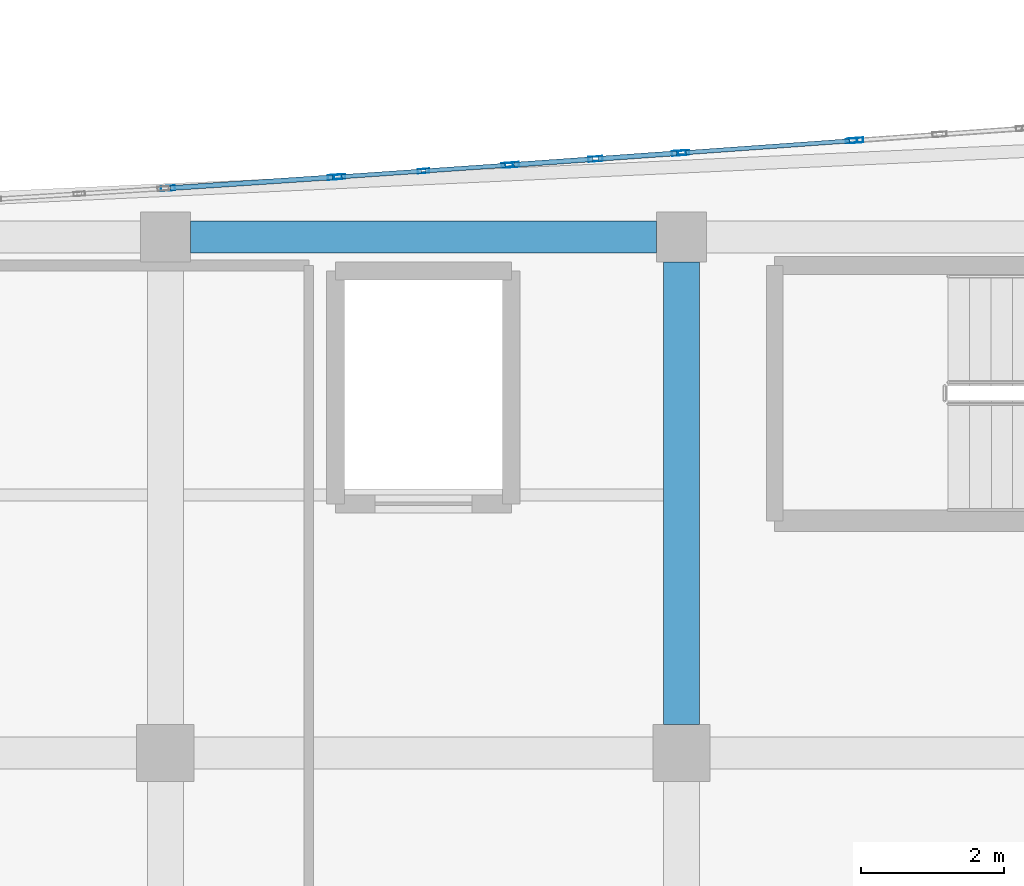
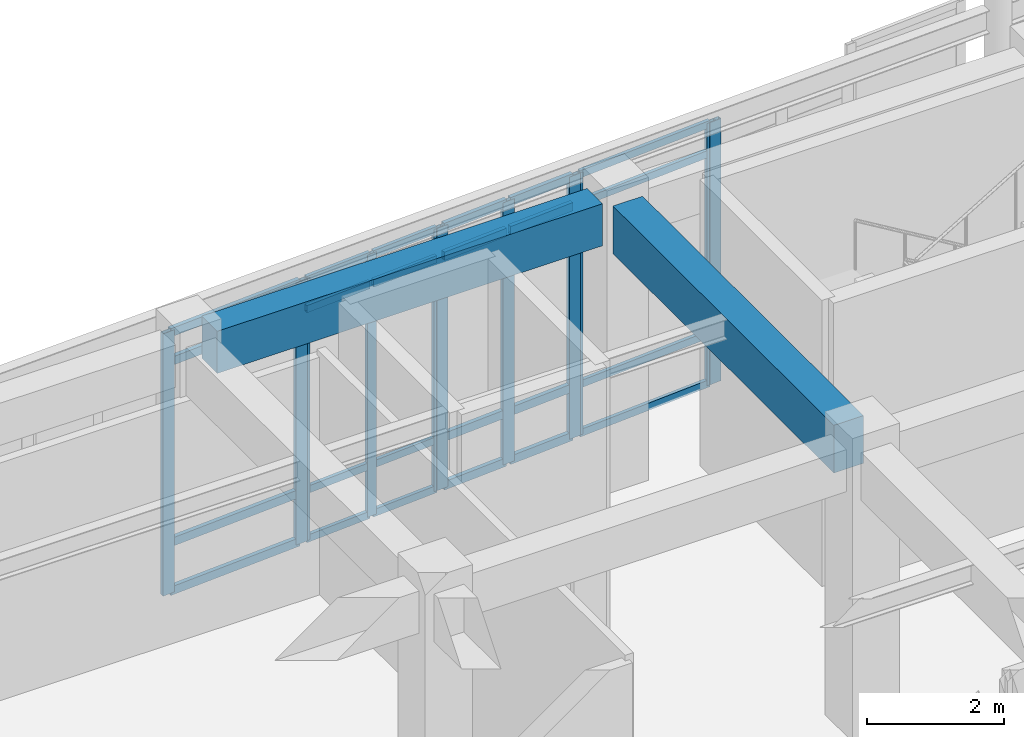
# One storey, part 28 of 102: 35 members, 2 beams, 5 elements without a shape of their own.
"""IFC4 building model written with IfcOpenShell, lengths in metres."""

from ifc_helpers import new_model, si_unit, direction, frame, origin, origin_2d, place, context, subcontext, project, spatial, rectangle, hollow_rectangle, extrude, material, layer, layer_set, material_profile, profile_set, type_object, element, aggregate, save


model = new_model("IFC4")

# Units and contexts
model_context = context("Model", 3, precision=1e-05, world=origin(), true_north=direction((0.0, 1.0)))
body_context = subcontext(model_context, "Body", "Model", "MODEL_VIEW")
ifc_project = project(units=[si_unit("LENGTHUNIT", "METRE"), si_unit("AREAUNIT", "SQUARE_METRE"), si_unit("VOLUMEUNIT", "CUBIC_METRE"), si_unit("PLANEANGLEUNIT", "RADIAN"), si_unit("MASSUNIT", "GRAM", prefix="KILO")], contexts=[model_context])

# Site, building, storey
site_placement = place(None, origin())
site = spatial("IfcSite", under=ifc_project, at=site_placement, CompositionType="ELEMENT")
building_placement = place(site_placement, origin())
building = spatial("IfcBuilding", under=site, at=building_placement, Name="Carrowvane Square Congress Hotel", CompositionType="ELEMENT")
storey_placement = place(building_placement, origin())
storey = spatial("IfcBuildingStorey", under=building, at=storey_placement, Name="L00", CompositionType="ELEMENT", Elevation=0.0)

# Beams
ifc_material_1 = material(Name="Concrete C35/45", Category="concrete")
ifc_material_profile_1 = material_profile(ifc_material_1, rectangle(XDim=0.449951171875, YDim=0.75, at=origin_2d()), Name="RC 450x750")
ifc_profile_set_1 = profile_set([ifc_material_profile_1], Name="Concrete C35/45")
beam_type_1 = type_object("IfcBeamType", Name="BM-RC-450x750", PredefinedType="USERDEFINED", material=ifc_profile_set_1)
beam_1_placement = place(storey_placement, frame((47.949951171875, 113.39990234375, 4.72509765625), z_axis=(1.0, 0.0, 0.0), x_axis=(0.0, 1.0, 0.0)))
element("IfcBeam", 1, at=beam_1_placement, inside=storey, type_object=beam_type_1, Name="L01 girder R/6-7", ObjectType="GIRDER", PredefinedType="USERDEFINED", context=body_context, shape_type="SweptSolid", body=[
    extrude(rectangle(XDim=0.449951171875, YDim=0.75, at=origin_2d()), origin(), (0.0, 0.0, 1.0), 6.5),
])
ifc_material_2 = material(Name="Concrete C35/45", Category="concrete")
ifc_material_profile_2 = material_profile(ifc_material_2, rectangle(XDim=0.5, YDim=0.85009765625, at=origin_2d()), Name="RC 500x850")
ifc_profile_set_2 = profile_set([ifc_material_profile_2], Name="Concrete C35/45")
beam_type_2 = type_object("IfcBeamType", Name="BM-RC-500x850", PredefinedType="USERDEFINED", material=ifc_profile_set_2)
beam_2_placement = place(storey_placement, frame((54.800048828125, 106.60009765625, 4.675048828125), z_axis=(0.0, 1.0, 0.0), x_axis=(-1.0, 0.0, 0.0)))
element("IfcBeam", 2, at=beam_2_placement, inside=storey, type_object=beam_type_2, Name="L01 girder 7/Q-R", ObjectType="GIRDER", PredefinedType="USERDEFINED", context=body_context, shape_type="SweptSolid", body=[
    extrude(rectangle(XDim=0.5, YDim=0.85009765625, at=origin_2d()), origin(), (0.0, 0.0, 1.0), 6.449951171875),
])

# Curtain wall, members
ifc_material_3 = material(Name="Anodised aluminium", Category="aluminium")
ifc_layer_1 = layer(ifc_material_3, 0.23388671875)
ifc_layer_set_1 = layer_set([ifc_layer_1], Name="Anodised aluminium")
curtain_wall_type_1 = type_object("IfcCurtainWallType", Name="CW-SYS-7", PredefinedType="NOTDEFINED", material=ifc_layer_set_1)
curtain_wall_1_placement = place(storey_placement, origin())
curtain_wall_1 = element("IfcCurtainWall", 3, at=curtain_wall_1_placement, inside=storey, type_object=curtain_wall_type_1, Name="L00 unitised curtain wall 6", PredefinedType="NOTDEFINED")
ifc_material_4 = material(Name="Anodised aluminium", Category="aluminium")
ifc_material_profile_3 = material_profile(ifc_material_4, hollow_rectangle(XDim=0.06005859375, YDim=0.159912109375, WallThickness=0.00390625, at=origin_2d()), Name="CW-ML 60x160x4")
ifc_profile_set_3 = profile_set([ifc_material_profile_3], Name="Anodised aluminium")
member_type_1 = type_object("IfcMemberType", Name="CW-MUL-1", PredefinedType="MULLION", material=ifc_profile_set_3)
member_1_placement = place(storey_placement, frame((50.030029296875, 114.237548828125, 0.0), z_axis=(0.0, 0.0, 1.0), x_axis=(-0.068986120725, 0.997617619706, 0.0)))
member_1 = element("IfcMember", 4, at=member_1_placement, type_object=member_type_1, Name="CW-7 mullion 1", PredefinedType="MULLION", context=body_context, shape_type="SweptSolid", body=[
    extrude(hollow_rectangle(XDim=0.06005859375, YDim=0.159912109375, WallThickness=0.00390625, at=origin_2d()), origin(), (0.0, 0.0, 1.0), 4.675537109375),
])
member_2_placement = place(storey_placement, frame((51.199951171875, 114.318359375, 0.0), z_axis=(0.0, 0.0, 1.0), x_axis=(-0.068986120725, 0.997617619706, 0.0)))
member_2 = element("IfcMember", 5, at=member_2_placement, type_object=member_type_1, Name="CW-7 mullion 2", PredefinedType="MULLION", context=body_context, shape_type="SweptSolid", body=[
    extrude(hollow_rectangle(XDim=0.06005859375, YDim=0.159912109375, WallThickness=0.00390625, at=origin_2d()), origin(), (0.0, 0.0, 1.0), 4.675537109375),
])
member_3_placement = place(storey_placement, frame((52.3701171875, 114.3994140625, 0.0), z_axis=(0.0, 0.0, 1.0), x_axis=(-0.068986120725, 0.997617619706, 0.0)))
member_3 = element("IfcMember", 6, at=member_3_placement, type_object=member_type_1, Name="CW-7 mullion 3", PredefinedType="MULLION", context=body_context, shape_type="SweptSolid", body=[
    extrude(hollow_rectangle(XDim=0.06005859375, YDim=0.159912109375, WallThickness=0.00390625, at=origin_2d()), origin(), (0.0, 0.0, 1.0), 4.675537109375),
])

ifc_material_5 = material(Name="Anodised aluminium", Category="aluminium")
ifc_layer_2 = layer(ifc_material_5, 0.162109375)
ifc_layer_set_2 = layer_set([ifc_layer_2], Name="Anodised aluminium")
curtain_wall_type_2 = type_object("IfcCurtainWallType", Name="CW-SYS-1", PredefinedType="NOTDEFINED", material=ifc_layer_set_2)
curtain_wall_2_placement = place(storey_placement, origin())
curtain_wall_2 = element("IfcCurtainWall", 7, at=curtain_wall_2_placement, inside=storey, type_object=curtain_wall_type_2, Name="L00 unitised curtain wall 8", PredefinedType="NOTDEFINED")
member_4_placement = place(storey_placement, frame((54.829833984375, 114.573486328125, 0.0), z_axis=(0.0, 0.0, 1.0), x_axis=(-0.071418356042, 0.997446448898, 0.0)))
member_4 = element("IfcMember", 8, at=member_4_placement, type_object=member_type_1, Name="CW-1 mullion 1", PredefinedType="MULLION", context=body_context, shape_type="SweptSolid", body=[
    extrude(hollow_rectangle(XDim=0.06005859375, YDim=0.159912109375, WallThickness=0.00390625, at=origin_2d()), origin(), (0.0, 0.0, 1.0), 4.675537109375),
])
member_5_placement = place(storey_placement, frame((57.169921875, 114.740966796875, 0.0), z_axis=(0.0, 0.0, 1.0), x_axis=(-0.071418356042, 0.997446448898, 0.0)))
member_5 = element("IfcMember", 9, at=member_5_placement, type_object=member_type_1, Name="CW-1 mullion 2", PredefinedType="MULLION", context=body_context, shape_type="SweptSolid", body=[
    extrude(hollow_rectangle(XDim=0.06005859375, YDim=0.159912109375, WallThickness=0.00390625, at=origin_2d()), origin(), (0.0, 0.0, 1.0), 4.675537109375),
])

ifc_material_6 = material(Name="Anodised aluminium", Category="aluminium")
ifc_layer_3 = layer(ifc_material_6, 0.221923828125)
ifc_layer_set_3 = layer_set([ifc_layer_3], Name="Anodised aluminium")
curtain_wall_type_3 = type_object("IfcCurtainWallType", Name="CW-SYS-6", PredefinedType="NOTDEFINED", material=ifc_layer_set_3)
curtain_wall_3_placement = place(storey_placement, origin())
curtain_wall_3 = element("IfcCurtainWall", 10, at=curtain_wall_3_placement, inside=storey, type_object=curtain_wall_type_3, Name="L00 unitised curtain wall 5", PredefinedType="NOTDEFINED")
ifc_material_7 = material(Name="Anodised aluminium", Category="aluminium")
ifc_material_profile_4 = material_profile(ifc_material_7, hollow_rectangle(XDim=0.070068359375, YDim=0.199951171875, WallThickness=0.0048828125, at=origin_2d()), Name="CW-ML 70x200x5")
ifc_profile_set_4 = profile_set([ifc_material_profile_4], Name="Anodised aluminium")
member_type_2 = type_object("IfcMemberType", Name="CW-MUL-2", PredefinedType="MULLION", material=ifc_profile_set_4)
member_6_placement = place(storey_placement, frame((47.635009765625, 114.07763671875, 0.0), z_axis=(0.0, 0.0, 1.0), x_axis=(-0.066578061501, 0.99778121937, 0.0)))
member_6 = element("IfcMember", 11, at=member_6_placement, type_object=member_type_2, Name="CW-6 mullion 1", PredefinedType="MULLION", context=body_context, shape_type="SweptSolid", body=[
    extrude(hollow_rectangle(XDim=0.070068359375, YDim=0.199951171875, WallThickness=0.0048828125, at=origin_2d()), origin(), (0.0, 0.0, 1.0), 4.675537109375),
])
member_7_placement = place(storey_placement, frame((49.965087890625, 114.233154296875, 0.0), z_axis=(0.0, 0.0, 1.0), x_axis=(-0.066578061501, 0.99778121937, 0.0)))
member_7 = element("IfcMember", 12, at=member_7_placement, type_object=member_type_2, Name="CW-6 mullion 2", PredefinedType="MULLION", context=body_context, shape_type="SweptSolid", body=[
    extrude(hollow_rectangle(XDim=0.070068359375, YDim=0.199951171875, WallThickness=0.0048828125, at=origin_2d()), origin(), (0.0, 0.0, 1.0), 4.675537109375),
])

ifc_material_8 = material(Name="Anodised aluminium", Category="aluminium")
ifc_layer_4 = layer(ifc_material_8, 0.24609375)
ifc_layer_set_4 = layer_set([ifc_layer_4], Name="Anodised aluminium")
curtain_wall_type_4 = type_object("IfcCurtainWallType", Name="CW-SYS-8", PredefinedType="NOTDEFINED", material=ifc_layer_set_4)
curtain_wall_4_placement = place(storey_placement, origin())
curtain_wall_4 = element("IfcCurtainWall", 13, at=curtain_wall_4_placement, inside=storey, type_object=curtain_wall_type_4, Name="L00 unitised curtain wall 7", PredefinedType="NOTDEFINED")
member_8_placement = place(storey_placement, frame((52.434814453125, 114.40380859375, 0.0), z_axis=(0.0, 0.0, 1.0), x_axis=(-0.070585996942, 0.997505697746, 0.0)))
member_8 = element("IfcMember", 14, at=member_8_placement, type_object=member_type_2, Name="CW-8 mullion 1", PredefinedType="MULLION", context=body_context, shape_type="SweptSolid", body=[
    extrude(hollow_rectangle(XDim=0.070068359375, YDim=0.199951171875, WallThickness=0.0048828125, at=origin_2d()), origin(), (0.0, 0.0, 1.0), 4.675537109375),
])
member_9_placement = place(storey_placement, frame((53.60009765625, 114.486328125, 0.0), z_axis=(0.0, 0.0, 1.0), x_axis=(-0.070585996942, 0.997505697746, 0.0)))
member_9 = element("IfcMember", 15, at=member_9_placement, type_object=member_type_2, Name="CW-8 mullion 2", PredefinedType="MULLION", context=body_context, shape_type="SweptSolid", body=[
    extrude(hollow_rectangle(XDim=0.070068359375, YDim=0.199951171875, WallThickness=0.0048828125, at=origin_2d()), origin(), (0.0, 0.0, 1.0), 4.675537109375),
])
member_10_placement = place(storey_placement, frame((54.76513671875, 114.56884765625, 0.0), z_axis=(0.0, 0.0, 1.0), x_axis=(-0.070585996942, 0.997505697746, 0.0)))
member_10 = element("IfcMember", 16, at=member_10_placement, type_object=member_type_2, Name="CW-8 mullion 3", PredefinedType="MULLION", context=body_context, shape_type="SweptSolid", body=[
    extrude(hollow_rectangle(XDim=0.070068359375, YDim=0.199951171875, WallThickness=0.0048828125, at=origin_2d()), origin(), (0.0, 0.0, 1.0), 4.675537109375),
])

# Curtain wall, member
ifc_material_9 = material(Name="Anodised aluminium", Category="aluminium")
ifc_layer_5 = layer(ifc_material_9, 0.174072265625)
ifc_layer_set_5 = layer_set([ifc_layer_5], Name="Anodised aluminium")
curtain_wall_type_5 = type_object("IfcCurtainWallType", Name="CW-SYS-2", PredefinedType="NOTDEFINED", material=ifc_layer_set_5)
curtain_wall_5_placement = place(storey_placement, origin())
curtain_wall_5 = element("IfcCurtainWall", 17, at=curtain_wall_5_placement, inside=storey, type_object=curtain_wall_type_5, Name="L00 unitised curtain wall 9", PredefinedType="NOTDEFINED")
member_11_placement = place(storey_placement, frame((57.23486328125, 114.74560546875, 0.0), z_axis=(0.0, 0.0, 1.0), x_axis=(-0.071531759512, 0.997438322595, 0.0)))
member_11 = element("IfcMember", 18, at=member_11_placement, type_object=member_type_2, Name="CW-2 mullion 1", PredefinedType="MULLION", context=body_context, shape_type="SweptSolid", body=[
    extrude(hollow_rectangle(XDim=0.070068359375, YDim=0.199951171875, WallThickness=0.0048828125, at=origin_2d()), origin(), (0.0, 0.0, 1.0), 4.675537109375),
])
aggregate(curtain_wall_5, [member_11])

# Member
ifc_material_10 = material(Name="Anodised aluminium", Category="aluminium")
ifc_material_profile_5 = material_profile(ifc_material_10, hollow_rectangle(XDim=0.06005859375, YDim=0.1298828125, WallThickness=0.00390625, at=origin_2d()), Name="CW-TR 60x130x4")
ifc_profile_set_5 = profile_set([ifc_material_profile_5], Name="Anodised aluminium")
member_type_3 = type_object("IfcMemberType", Name="CW-TRN-1", PredefinedType="USERDEFINED", material=ifc_profile_set_5)
member_12_placement = place(storey_placement, frame((50.059814453125, 114.239501953125, 0.030029296875), z_axis=(0.997610037403, 0.06909568201, 0.0), x_axis=(-0.06909568201, 0.997610037403, 0.0)))
member_12 = element("IfcMember", 19, at=member_12_placement, type_object=member_type_3, Name="CW-7 transom 1.1", ObjectType="TRANSOM", PredefinedType="USERDEFINED", context=body_context, shape_type="SweptSolid", body=[
    extrude(hollow_rectangle(XDim=0.06005859375, YDim=0.1298828125, WallThickness=0.00390625, at=origin_2d()), origin(), (0.0, 0.0, 1.0), 1.113037109375),
])

member_13_placement = place(storey_placement, frame((50.059814453125, 114.239501953125, 0.89990234375), z_axis=(0.997610037403, 0.06909568201, 0.0), x_axis=(-0.06909568201, 0.997610037403, 0.0)))
member_13 = element("IfcMember", 20, at=member_13_placement, type_object=member_type_3, Name="CW-7 transom 1.2", ObjectType="TRANSOM", PredefinedType="USERDEFINED", context=body_context, shape_type="SweptSolid", body=[
    extrude(hollow_rectangle(XDim=0.06005859375, YDim=0.1298828125, WallThickness=0.00390625, at=origin_2d()), origin(), (0.0, 0.0, 1.0), 1.113037109375),
])

member_14_placement = place(storey_placement, frame((50.059814453125, 114.239501953125, 4.12548828125), z_axis=(0.997610037403, 0.06909568201, 0.0), x_axis=(-0.06909568201, 0.997610037403, 0.0)))
member_14 = element("IfcMember", 21, at=member_14_placement, type_object=member_type_3, Name="CW-7 transom 1.3", ObjectType="TRANSOM", PredefinedType="USERDEFINED", context=body_context, shape_type="SweptSolid", body=[
    extrude(hollow_rectangle(XDim=0.06005859375, YDim=0.1298828125, WallThickness=0.00390625, at=origin_2d()), origin(), (0.0, 0.0, 1.0), 1.113037109375),
])

member_15_placement = place(storey_placement, frame((50.059814453125, 114.239501953125, 4.6455078125), z_axis=(0.997610037403, 0.06909568201, 0.0), x_axis=(-0.06909568201, 0.997610037403, 0.0)))
member_15 = element("IfcMember", 22, at=member_15_placement, type_object=member_type_3, Name="CW-7 transom 1.4", ObjectType="TRANSOM", PredefinedType="USERDEFINED", context=body_context, shape_type="SweptSolid", body=[
    extrude(hollow_rectangle(XDim=0.06005859375, YDim=0.1298828125, WallThickness=0.00390625, at=origin_2d()), origin(), (0.0, 0.0, 1.0), 1.113037109375),
])

member_16_placement = place(storey_placement, frame((51.22998046875, 114.320556640625, 0.030029296875), z_axis=(0.997624092775, 0.068892448896, 0.0), x_axis=(-0.068892448896, 0.997624092775, 0.0)))
member_16 = element("IfcMember", 23, at=member_16_placement, type_object=member_type_3, Name="CW-7 transom 2.1", ObjectType="TRANSOM", PredefinedType="USERDEFINED", context=body_context, shape_type="SweptSolid", body=[
    extrude(hollow_rectangle(XDim=0.06005859375, YDim=0.1298828125, WallThickness=0.00390625, at=origin_2d()), origin(), (0.0, 0.0, 1.0), 1.11279296875),
])

member_17_placement = place(storey_placement, frame((51.22998046875, 114.320556640625, 0.89990234375), z_axis=(0.997624092775, 0.068892448896, 0.0), x_axis=(-0.068892448896, 0.997624092775, 0.0)))
member_17 = element("IfcMember", 24, at=member_17_placement, type_object=member_type_3, Name="CW-7 transom 2.2", ObjectType="TRANSOM", PredefinedType="USERDEFINED", context=body_context, shape_type="SweptSolid", body=[
    extrude(hollow_rectangle(XDim=0.06005859375, YDim=0.1298828125, WallThickness=0.00390625, at=origin_2d()), origin(), (0.0, 0.0, 1.0), 1.11279296875),
])

member_18_placement = place(storey_placement, frame((51.22998046875, 114.320556640625, 4.12548828125), z_axis=(0.997624092775, 0.068892448896, 0.0), x_axis=(-0.068892448896, 0.997624092775, 0.0)))
member_18 = element("IfcMember", 25, at=member_18_placement, type_object=member_type_3, Name="CW-7 transom 2.3", ObjectType="TRANSOM", PredefinedType="USERDEFINED", context=body_context, shape_type="SweptSolid", body=[
    extrude(hollow_rectangle(XDim=0.06005859375, YDim=0.1298828125, WallThickness=0.00390625, at=origin_2d()), origin(), (0.0, 0.0, 1.0), 1.11279296875),
])

member_19_placement = place(storey_placement, frame((51.22998046875, 114.320556640625, 4.6455078125), z_axis=(0.997624092775, 0.068892448896, 0.0), x_axis=(-0.068892448896, 0.997624092775, 0.0)))
member_19 = element("IfcMember", 26, at=member_19_placement, type_object=member_type_3, Name="CW-7 transom 2.4", ObjectType="TRANSOM", PredefinedType="USERDEFINED", context=body_context, shape_type="SweptSolid", body=[
    extrude(hollow_rectangle(XDim=0.06005859375, YDim=0.1298828125, WallThickness=0.00390625, at=origin_2d()), origin(), (0.0, 0.0, 1.0), 1.11279296875),
])

aggregate(curtain_wall_1, [member_1, member_2, member_3, member_12, member_13, member_14, member_15, member_16, member_17, member_18, member_19])

member_20_placement = place(storey_placement, frame((54.85986328125, 114.575439453125, 0.030029296875), z_axis=(0.997444585834, 0.071444371298, 0.0), x_axis=(-0.071444371298, 0.997444585834, 0.0)))
member_20 = element("IfcMember", 27, at=member_20_placement, type_object=member_type_3, Name="CW-1 transom 1.1", ObjectType="TRANSOM", PredefinedType="USERDEFINED", context=body_context, shape_type="SweptSolid", body=[
    extrude(hollow_rectangle(XDim=0.06005859375, YDim=0.1298828125, WallThickness=0.00390625, at=origin_2d()), origin(), (0.0, 0.0, 1.0), 2.2861328125),
])

member_21_placement = place(storey_placement, frame((54.85986328125, 114.575439453125, 0.89990234375), z_axis=(0.997444585834, 0.071444371298, 0.0), x_axis=(-0.071444371298, 0.997444585834, 0.0)))
member_21 = element("IfcMember", 28, at=member_21_placement, type_object=member_type_3, Name="CW-1 transom 1.2", ObjectType="TRANSOM", PredefinedType="USERDEFINED", context=body_context, shape_type="SweptSolid", body=[
    extrude(hollow_rectangle(XDim=0.06005859375, YDim=0.1298828125, WallThickness=0.00390625, at=origin_2d()), origin(), (0.0, 0.0, 1.0), 2.2861328125),
])

member_22_placement = place(storey_placement, frame((54.85986328125, 114.575439453125, 4.12548828125), z_axis=(0.997444585834, 0.071444371298, 0.0), x_axis=(-0.071444371298, 0.997444585834, 0.0)))
member_22 = element("IfcMember", 29, at=member_22_placement, type_object=member_type_3, Name="CW-1 transom 1.3", ObjectType="TRANSOM", PredefinedType="USERDEFINED", context=body_context, shape_type="SweptSolid", body=[
    extrude(hollow_rectangle(XDim=0.06005859375, YDim=0.1298828125, WallThickness=0.00390625, at=origin_2d()), origin(), (0.0, 0.0, 1.0), 2.2861328125),
])

member_23_placement = place(storey_placement, frame((54.85986328125, 114.575439453125, 4.6455078125), z_axis=(0.997444585834, 0.071444371298, 0.0), x_axis=(-0.071444371298, 0.997444585834, 0.0)))
member_23 = element("IfcMember", 30, at=member_23_placement, type_object=member_type_3, Name="CW-1 transom 1.4", ObjectType="TRANSOM", PredefinedType="USERDEFINED", context=body_context, shape_type="SweptSolid", body=[
    extrude(hollow_rectangle(XDim=0.06005859375, YDim=0.1298828125, WallThickness=0.00390625, at=origin_2d()), origin(), (0.0, 0.0, 1.0), 2.2861328125),
])

aggregate(curtain_wall_2, [member_4, member_5, member_20, member_21, member_22, member_23])

ifc_material_11 = material(Name="Anodised aluminium", Category="aluminium")
ifc_material_profile_6 = material_profile(ifc_material_11, hollow_rectangle(XDim=0.070068359375, YDim=0.14990234375, WallThickness=0.0048828125, at=origin_2d()), Name="CW-TR 70x150x5")
ifc_profile_set_6 = profile_set([ifc_material_profile_6], Name="Anodised aluminium")
member_type_4 = type_object("IfcMemberType", Name="CW-TRN-2", PredefinedType="USERDEFINED", material=ifc_profile_set_6)
member_24_placement = place(storey_placement, frame((47.669921875, 114.080078125, 0.034912109375), z_axis=(0.997786588276, 0.066497550763, 0.0), x_axis=(-0.066497550763, 0.997786588276, 0.0)))
member_24 = element("IfcMember", 31, at=member_24_placement, type_object=member_type_4, Name="CW-6 transom 1.1", ObjectType="TRANSOM", PredefinedType="USERDEFINED", context=body_context, shape_type="SweptSolid", body=[
    extrude(hollow_rectangle(XDim=0.070068359375, YDim=0.14990234375, WallThickness=0.0048828125, at=origin_2d()), origin(), (0.0, 0.0, 1.0), 2.265380859375),
])

member_25_placement = place(storey_placement, frame((47.669921875, 114.080078125, 0.89990234375), z_axis=(0.997786588276, 0.066497550763, 0.0), x_axis=(-0.066497550763, 0.997786588276, 0.0)))
member_25 = element("IfcMember", 32, at=member_25_placement, type_object=member_type_4, Name="CW-6 transom 1.2", ObjectType="TRANSOM", PredefinedType="USERDEFINED", context=body_context, shape_type="SweptSolid", body=[
    extrude(hollow_rectangle(XDim=0.070068359375, YDim=0.14990234375, WallThickness=0.0048828125, at=origin_2d()), origin(), (0.0, 0.0, 1.0), 2.265380859375),
])

member_26_placement = place(storey_placement, frame((47.669921875, 114.080078125, 4.12548828125), z_axis=(0.997786588276, 0.066497550763, 0.0), x_axis=(-0.066497550763, 0.997786588276, 0.0)))
member_26 = element("IfcMember", 33, at=member_26_placement, type_object=member_type_4, Name="CW-6 transom 1.3", ObjectType="TRANSOM", PredefinedType="USERDEFINED", context=body_context, shape_type="SweptSolid", body=[
    extrude(hollow_rectangle(XDim=0.070068359375, YDim=0.14990234375, WallThickness=0.0048828125, at=origin_2d()), origin(), (0.0, 0.0, 1.0), 2.265380859375),
])

member_27_placement = place(storey_placement, frame((47.669921875, 114.080078125, 4.640625), z_axis=(0.997786588276, 0.066497550763, 0.0), x_axis=(-0.066497550763, 0.997786588276, 0.0)))
member_27 = element("IfcMember", 34, at=member_27_placement, type_object=member_type_4, Name="CW-6 transom 1.4", ObjectType="TRANSOM", PredefinedType="USERDEFINED", context=body_context, shape_type="SweptSolid", body=[
    extrude(hollow_rectangle(XDim=0.070068359375, YDim=0.14990234375, WallThickness=0.0048828125, at=origin_2d()), origin(), (0.0, 0.0, 1.0), 2.265380859375),
])

aggregate(curtain_wall_3, [member_6, member_7, member_24, member_25, member_26, member_27])

member_28_placement = place(storey_placement, frame((52.4697265625, 114.406494140625, 0.034912109375), z_axis=(0.997513695284, 0.070472886429, 0.0), x_axis=(-0.070472886429, 0.997513695284, 0.0)))
member_28 = element("IfcMember", 35, at=member_28_placement, type_object=member_type_4, Name="CW-8 transom 1.1", ObjectType="TRANSOM", PredefinedType="USERDEFINED", context=body_context, shape_type="SweptSolid", body=[
    extrude(hollow_rectangle(XDim=0.070068359375, YDim=0.14990234375, WallThickness=0.0048828125, at=origin_2d()), origin(), (0.0, 0.0, 1.0), 1.09814453125),
])

member_29_placement = place(storey_placement, frame((52.4697265625, 114.406494140625, 0.89990234375), z_axis=(0.997513695284, 0.070472886429, 0.0), x_axis=(-0.070472886429, 0.997513695284, 0.0)))
member_29 = element("IfcMember", 36, at=member_29_placement, type_object=member_type_4, Name="CW-8 transom 1.2", ObjectType="TRANSOM", PredefinedType="USERDEFINED", context=body_context, shape_type="SweptSolid", body=[
    extrude(hollow_rectangle(XDim=0.070068359375, YDim=0.14990234375, WallThickness=0.0048828125, at=origin_2d()), origin(), (0.0, 0.0, 1.0), 1.09814453125),
])

member_30_placement = place(storey_placement, frame((52.4697265625, 114.406494140625, 4.12548828125), z_axis=(0.997513695284, 0.070472886429, 0.0), x_axis=(-0.070472886429, 0.997513695284, 0.0)))
member_30 = element("IfcMember", 37, at=member_30_placement, type_object=member_type_4, Name="CW-8 transom 1.3", ObjectType="TRANSOM", PredefinedType="USERDEFINED", context=body_context, shape_type="SweptSolid", body=[
    extrude(hollow_rectangle(XDim=0.070068359375, YDim=0.14990234375, WallThickness=0.0048828125, at=origin_2d()), origin(), (0.0, 0.0, 1.0), 1.09814453125),
])

member_31_placement = place(storey_placement, frame((52.4697265625, 114.406494140625, 4.640625), z_axis=(0.997513695284, 0.070472886429, 0.0), x_axis=(-0.070472886429, 0.997513695284, 0.0)))
member_31 = element("IfcMember", 38, at=member_31_placement, type_object=member_type_4, Name="CW-8 transom 1.4", ObjectType="TRANSOM", PredefinedType="USERDEFINED", context=body_context, shape_type="SweptSolid", body=[
    extrude(hollow_rectangle(XDim=0.070068359375, YDim=0.14990234375, WallThickness=0.0048828125, at=origin_2d()), origin(), (0.0, 0.0, 1.0), 1.09814453125),
])

member_32_placement = place(storey_placement, frame((53.635009765625, 114.48876953125, 0.034912109375), z_axis=(0.9974969316, 0.070709769115, 0.0), x_axis=(-0.070709769115, 0.9974969316, 0.0)))
member_32 = element("IfcMember", 39, at=member_32_placement, type_object=member_type_4, Name="CW-8 transom 2.1", ObjectType="TRANSOM", PredefinedType="USERDEFINED", context=body_context, shape_type="SweptSolid", body=[
    extrude(hollow_rectangle(XDim=0.070068359375, YDim=0.14990234375, WallThickness=0.0048828125, at=origin_2d()), origin(), (0.0, 0.0, 1.0), 1.097900390625),
])

member_33_placement = place(storey_placement, frame((53.635009765625, 114.48876953125, 0.89990234375), z_axis=(0.9974969316, 0.070709769115, 0.0), x_axis=(-0.070709769115, 0.9974969316, 0.0)))
member_33 = element("IfcMember", 40, at=member_33_placement, type_object=member_type_4, Name="CW-8 transom 2.2", ObjectType="TRANSOM", PredefinedType="USERDEFINED", context=body_context, shape_type="SweptSolid", body=[
    extrude(hollow_rectangle(XDim=0.070068359375, YDim=0.14990234375, WallThickness=0.0048828125, at=origin_2d()), origin(), (0.0, 0.0, 1.0), 1.097900390625),
])

member_34_placement = place(storey_placement, frame((53.635009765625, 114.48876953125, 4.12548828125), z_axis=(0.9974969316, 0.070709769115, 0.0), x_axis=(-0.070709769115, 0.9974969316, 0.0)))
member_34 = element("IfcMember", 41, at=member_34_placement, type_object=member_type_4, Name="CW-8 transom 2.3", ObjectType="TRANSOM", PredefinedType="USERDEFINED", context=body_context, shape_type="SweptSolid", body=[
    extrude(hollow_rectangle(XDim=0.070068359375, YDim=0.14990234375, WallThickness=0.0048828125, at=origin_2d()), origin(), (0.0, 0.0, 1.0), 1.097900390625),
])

member_35_placement = place(storey_placement, frame((53.635009765625, 114.48876953125, 4.640625), z_axis=(0.9974969316, 0.070709769115, 0.0), x_axis=(-0.070709769115, 0.9974969316, 0.0)))
member_35 = element("IfcMember", 42, at=member_35_placement, type_object=member_type_4, Name="CW-8 transom 2.4", ObjectType="TRANSOM", PredefinedType="USERDEFINED", context=body_context, shape_type="SweptSolid", body=[
    extrude(hollow_rectangle(XDim=0.070068359375, YDim=0.14990234375, WallThickness=0.0048828125, at=origin_2d()), origin(), (0.0, 0.0, 1.0), 1.097900390625),
])

aggregate(curtain_wall_4, [member_8, member_9, member_10, member_28, member_29, member_30, member_31, member_32, member_33, member_34, member_35])

save(model, "model.ifc")
